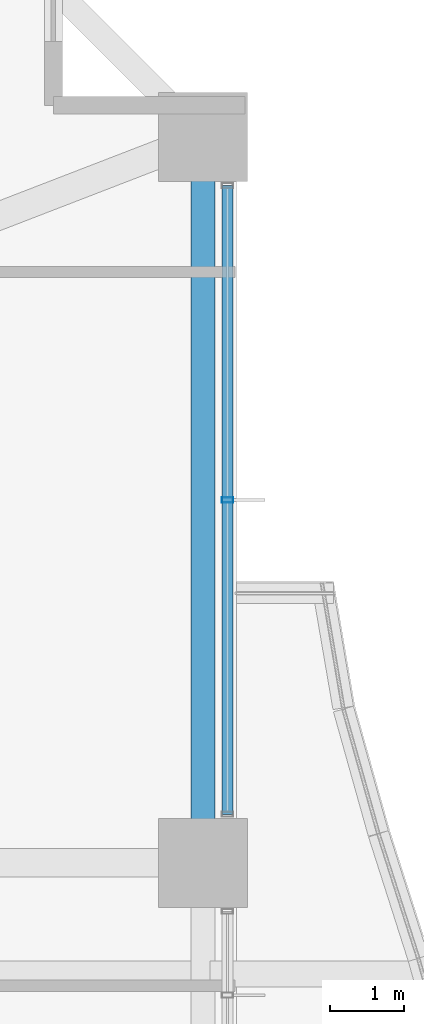
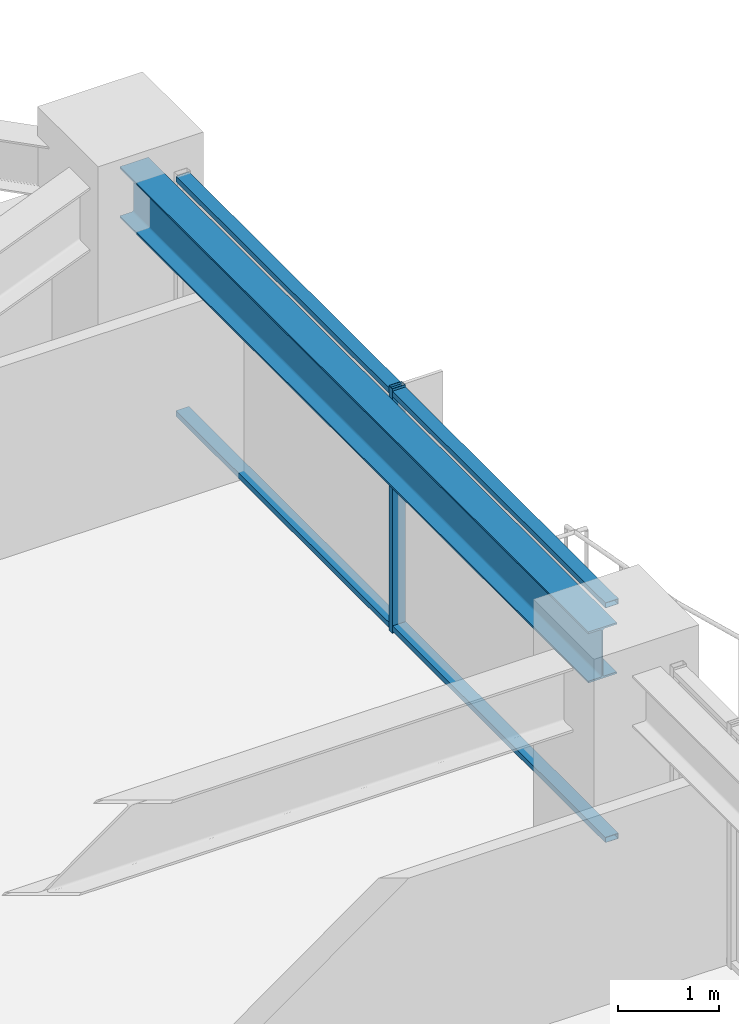
# One storey, part 17 of 38: 3 members, 1 beam, 1 element without a shape of its own.
"""IFC4 building model written with IfcOpenShell, lengths in metres."""

from ifc_helpers import new_model, si_unit, direction, frame, origin, origin_2d, place, context, subcontext, project, spatial, hollow_rectangle, i_section, extrude, material, material_profile, profile_set, type_object, element, aggregate, save


model = new_model("IFC4")

# Units and contexts
model_context = context("Model", 3, precision=1e-05, world=origin(), true_north=direction((0.0, 1.0)))
body_context = subcontext(model_context, "Body", "Model", "MODEL_VIEW")
ifc_project = project(units=[si_unit("LENGTHUNIT", "METRE"), si_unit("AREAUNIT", "SQUARE_METRE"), si_unit("VOLUMEUNIT", "CUBIC_METRE"), si_unit("PLANEANGLEUNIT", "RADIAN"), si_unit("MASSUNIT", "GRAM", prefix="KILO")], contexts=[model_context])

# Site, building, storey
site_placement = place(None, origin())
site = spatial("IfcSite", under=ifc_project, at=site_placement, CompositionType="ELEMENT")
building_placement = place(site_placement, origin())
building = spatial("IfcBuilding", under=site, at=building_placement, Name="Kolvaren Belvedere", CompositionType="ELEMENT")
storey_placement = place(building_placement, frame((0.0, 0.0, 60.10009765625)))
storey = spatial("IfcBuildingStorey", under=building, at=storey_placement, Name="L17", CompositionType="ELEMENT", Elevation=60.10009765625)

# Beam
ifc_material_1 = material(Name="Structural steel ASTM A992 Grade 50", Category="steel")
ifc_material_profile_1 = material_profile(ifc_material_1, i_section(OverallWidth=0.324951171875, OverallDepth=0.615966796875, WebThickness=0.013916015625, FlangeThickness=0.021484375, FilletRadius=0.02001953125, at=origin_2d()), Name="W24X117")
ifc_profile_set_1 = profile_set([ifc_material_profile_1], Name="Structural steel ASTM A992 Grade 50")
beam_type = type_object("IfcBeamType", Name="BM-SPAN-W24X117", PredefinedType="SPANDREL", material=ifc_profile_set_1)
beam_placement = place(storey_placement, frame((21.550048828125, 4.8701171875, 2.641845703125), z_axis=(0.0, 1.0, 0.0), x_axis=(-1.0, 0.0, 0.0)))
element("IfcBeam", 1, at=beam_placement, inside=storey, type_object=beam_type, Name="L17 Perimeter Spandrel E3-E4", PredefinedType="SPANDREL", context=body_context, shape_type="SweptSolid", body=[
    extrude(i_section(OverallWidth=0.324951171875, OverallDepth=0.615966796875, WebThickness=0.013916015625, FlangeThickness=0.021484375, FilletRadius=0.02001953125, at=origin_2d()), origin(), (0.0, 0.0, 1.0), 9.259765625),
])

# Curtain wall, members
ifc_material_2 = material(Name="Anodised pale-metal aluminium AA 6063-T6", Category="aluminium")
curtain_wall_type = type_object("IfcCurtainWallType", Name="CW-Z1-LOW", PredefinedType="NOTDEFINED", material=ifc_material_2)
curtain_wall_placement = place(storey_placement, origin())
curtain_wall = element("IfcCurtainWall", 2, at=curtain_wall_placement, inside=storey, type_object=curtain_wall_type, Name="L17 Unitised Curtain Wall FCW-L17-E1-B1", PredefinedType="NOTDEFINED")
ifc_material_3 = material(Name="Anodised pale-metal aluminium AA 6063-T6", Category="aluminium")
ifc_material_profile_2 = material_profile(ifc_material_3, hollow_rectangle(XDim=0.070068359375, YDim=0.14990234375, WallThickness=0.004150390625, at=origin_2d()), Name="ALU-MUL-150X70")
ifc_profile_set_2 = profile_set([ifc_material_profile_2], Name="Anodised pale-metal aluminium AA 6063-T6")
member_type_1 = type_object("IfcMemberType", Name="CW-MUL-150", PredefinedType="MULLION", material=ifc_profile_set_2)
member_1_placement = place(storey_placement, frame((21.8798828125, 9.5, 0.0), z_axis=(0.0, 0.0, 1.0), x_axis=(0.0, 1.0, 0.0)))
member_1 = element("IfcMember", 3, at=member_1_placement, type_object=member_type_1, Name="FCW-L17-E1-B1 Unitised Mullion 2", PredefinedType="MULLION", context=body_context, shape_type="SweptSolid", body=[
    extrude(hollow_rectangle(XDim=0.070068359375, YDim=0.14990234375, WallThickness=0.004150390625, at=origin_2d()), origin(), (0.0, 0.0, 1.0), 2.949951171875),
])
ifc_material_4 = material(Name="Anodised pale-metal aluminium AA 6063-T6", Category="aluminium")
ifc_material_profile_3 = material_profile(ifc_material_4, hollow_rectangle(XDim=0.06494140625, YDim=0.14990234375, WallThickness=0.00390625, at=origin_2d()), Name="ALU-TRN-150X65")
ifc_profile_set_3 = profile_set([ifc_material_profile_3], Name="Anodised pale-metal aluminium AA 6063-T6")
member_type_2 = type_object("IfcMemberType", Name="CW-TRN-150", PredefinedType="USERDEFINED", material=ifc_profile_set_3)
member_2_placement = place(storey_placement, frame((21.8798828125, 13.7451171875, 0.059814453125), z_axis=(0.0, -1.0, 0.0), x_axis=(0.0, 0.0, 1.0)))
member_2 = element("IfcMember", 4, at=member_2_placement, type_object=member_type_2, Name="FCW-L17-E1-B1 Sill Transom", ObjectType="TRANSOM", PredefinedType="USERDEFINED", context=body_context, shape_type="SweptSolid", body=[
    extrude(hollow_rectangle(XDim=0.06494140625, YDim=0.14990234375, WallThickness=0.00390625, at=origin_2d()), origin(), (0.0, 0.0, 1.0), 8.490234375),
])
member_3_placement = place(storey_placement, frame((21.8798828125, 13.7451171875, 2.889892578125), z_axis=(0.0, -1.0, 0.0), x_axis=(0.0, 0.0, 1.0)))
member_3 = element("IfcMember", 5, at=member_3_placement, type_object=member_type_2, Name="FCW-L17-E1-B1 Head Transom", ObjectType="TRANSOM", PredefinedType="USERDEFINED", context=body_context, shape_type="SweptSolid", body=[
    extrude(hollow_rectangle(XDim=0.06494140625, YDim=0.14990234375, WallThickness=0.00390625, at=origin_2d()), origin(), (0.0, 0.0, 1.0), 8.490234375),
])
aggregate(curtain_wall, [member_1, member_2, member_3])

save(model, "model.ifc")
